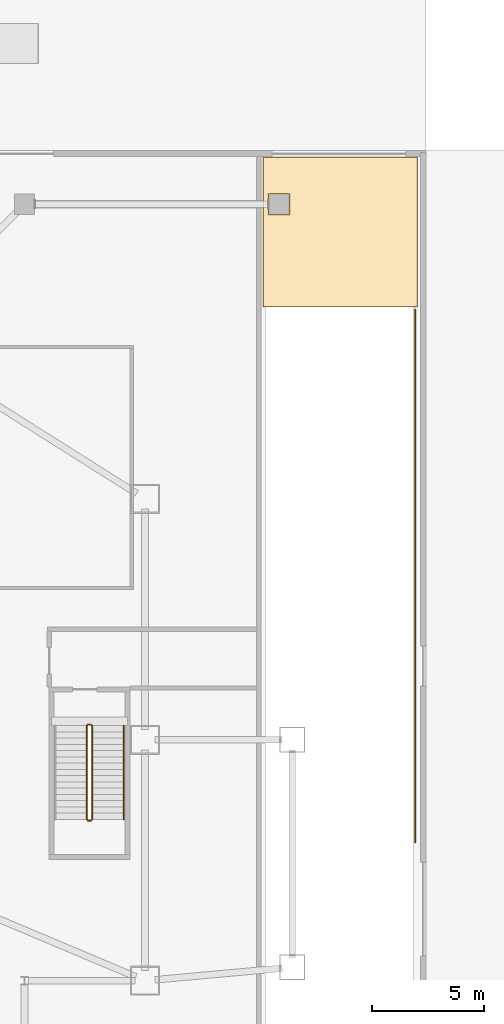
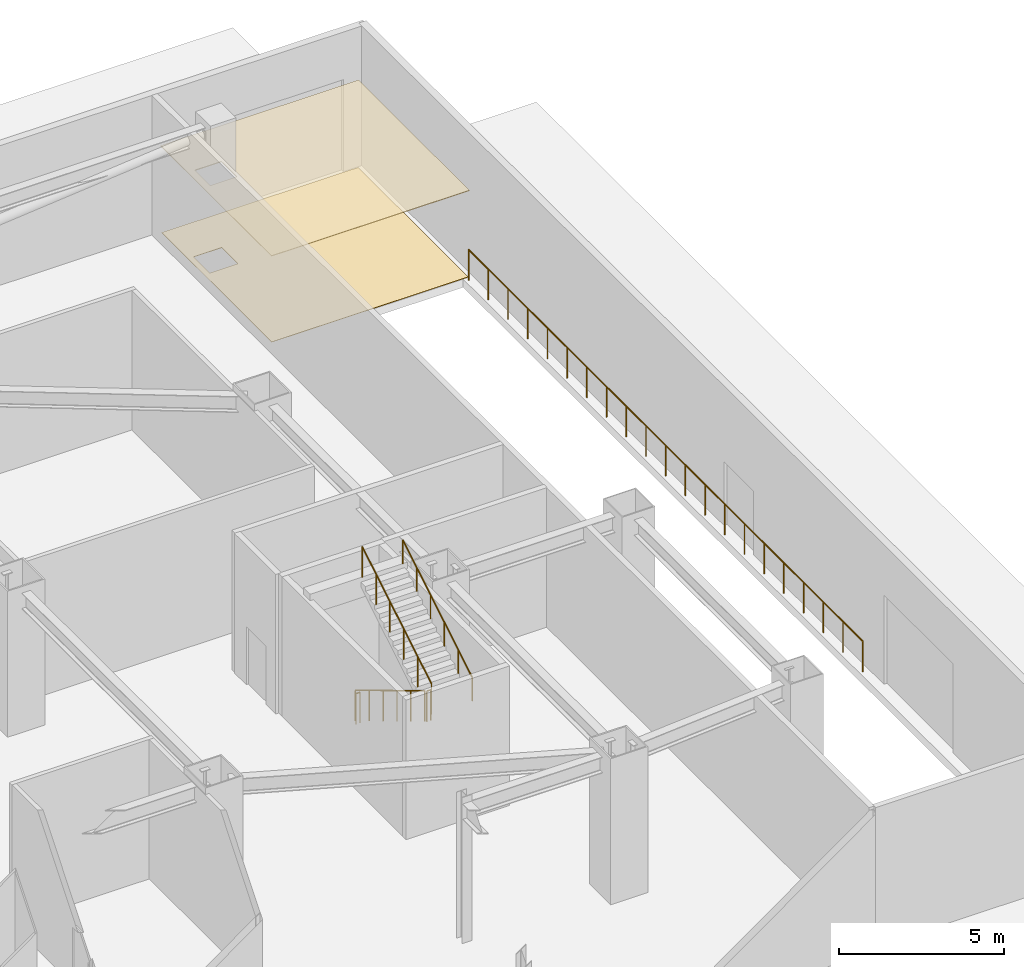
# One storey, part 19 of 20: 6 railings, 2 coverings.
"""IFC4 building model written with IfcOpenShell, lengths in metres."""

from ifc_helpers import new_model, si_unit, direction, frame, origin, origin_2d, place, context, subcontext, project, spatial, polyline, circle, outline, extrude, material, layer, layer_set, type_object, element, save


model = new_model("IFC4")

# Units and contexts
model_context = context("Model", 3, precision=1e-05, world=origin(), true_north=direction((0.0, 1.0)))
body_context = subcontext(model_context, "Body", "Model", "MODEL_VIEW")
ifc_project = project(units=[si_unit("LENGTHUNIT", "METRE"), si_unit("AREAUNIT", "SQUARE_METRE"), si_unit("VOLUMEUNIT", "CUBIC_METRE"), si_unit("PLANEANGLEUNIT", "RADIAN"), si_unit("MASSUNIT", "GRAM", prefix="KILO")], contexts=[model_context])

# Site, building, storey
site_placement = place(None, origin())
site = spatial("IfcSite", under=ifc_project, at=site_placement, CompositionType="ELEMENT")
building_placement = place(site_placement, origin())
building = spatial("IfcBuilding", under=site, at=building_placement, Name="Haolan Belvedere Tower", CompositionType="ELEMENT")
storey_placement = place(building_placement, origin())
storey = spatial("IfcBuildingStorey", under=building, at=storey_placement, Name="L00", CompositionType="ELEMENT", Elevation=0.0)

# Coverings
ifc_material_1 = material(Name="Acoustic mineral-fibre suspended ceiling system", Category="masonry")
ifc_layer_1 = layer(ifc_material_1, 0.02490234375, Name="Acoustic mineral-fibre suspended ceiling system")
ifc_layer_set_1 = layer_set([ifc_layer_1], Name="Acoustic mineral-fibre suspended ceiling system")
covering_type_1 = type_object("IfcCoveringType", Name="COV-CEIL-AC25", PredefinedType="CEILING", material=ifc_layer_set_1)
covering_1_placement = place(storey_placement, frame((0.0, 0.0, 3.199951171875)))
element("IfcCovering", 1, at=covering_1_placement, inside=storey, type_object=covering_type_1, Name="L00 suspended acoustic ceiling L00-RMP.1", PredefinedType="CEILING", context=body_context, shape_type="SweptSolid", body=[
    extrude(outline(polyline([(76.412109375, 46.988037109375), (76.412109375, 53.7119140625), (69.488037109375, 53.7119140625), (69.488037109375, 46.988037109375), (76.412109375, 46.988037109375)]), holes=[polyline([(69.735107421875, 52.06494140625), (70.6650390625, 52.06494140625), (70.6650390625, 51.135009765625), (69.735107421875, 51.135009765625), (69.735107421875, 52.06494140625)])]), origin(), (0.0, 0.0, 1.0), 0.025146484375),
])
ifc_material_2 = material(Name="Honed terrazzo and natural granite stone flooring", Category="masonry")
ifc_layer_2 = layer(ifc_material_2, 0.014892578125, Name="Honed terrazzo and natural granite stone flooring")
ifc_layer_set_2 = layer_set([ifc_layer_2], Name="Honed terrazzo and natural granite stone flooring")
covering_type_2 = type_object("IfcCoveringType", Name="COV-FLR-STN30", PredefinedType="FLOORING", material=ifc_layer_set_2)
covering_2_placement = place(storey_placement, origin())
element("IfcCovering", 2, at=covering_2_placement, inside=storey, type_object=covering_type_2, Name="L00 polished stone floor finish L00-RMP.1", PredefinedType="FLOORING", context=body_context, shape_type="SweptSolid", body=[
    extrude(outline(polyline([(76.386962890625, 53.68701171875), (69.512939453125, 53.68701171875), (69.512939453125, 47.012939453125), (76.386962890625, 47.012939453125), (76.386962890625, 53.68701171875)]), holes=[polyline([(70.68994140625, 52.090087890625), (70.68994140625, 51.110107421875), (69.7099609375, 51.110107421875), (69.7099609375, 52.090087890625), (70.68994140625, 52.090087890625)])]), origin(), (0.0, 0.0, 1.0), 0.014892578125),
])

# Railings
ifc_material_3 = material(Name="Galvanised powder-coated steel guardrail", Category="steel")
railing_type_1 = type_object("IfcRailingType", Name="RL-REF-GRD-1150", PredefinedType="GUARDRAIL", material=ifc_material_3)
railing_1_placement = place(storey_placement, frame((76.320068359375, 23.0, 0.0)))
element("IfcRailing", 3, at=railing_1_placement, inside=storey, type_object=railing_type_1, Name="L00 east vehicle ramp void upper east guardrail", PredefinedType="GUARDRAIL", context=body_context, shape_type="SweptSolid", body=[
    extrude(circle(Radius=0.02392578125, at=origin_2d()), frame((0.0, 0.0, 1.1259765625), z_axis=(0.0, 1.0, 0.0), x_axis=(-1.0, 0.0, 0.0)), (0.0, 0.0, 1.0), 23.8798828125),
    extrude(circle(Radius=0.02099609375, at=origin_2d()), origin(), (0.0, 0.0, 1.0), 1.101806640625),
    extrude(circle(Radius=0.02099609375, at=origin_2d()), frame((0.0, 1.194091796875, 0.0)), (0.0, 0.0, 1.0), 1.101806640625),
    extrude(circle(Radius=0.02099609375, at=origin_2d()), frame((0.0, 2.387939453125, 0.0)), (0.0, 0.0, 1.0), 1.101806640625),
    extrude(circle(Radius=0.02099609375, at=origin_2d()), frame((0.0, 3.58203125, 0.0)), (0.0, 0.0, 1.0), 1.101806640625),
    extrude(circle(Radius=0.02099609375, at=origin_2d()), frame((0.0, 4.77587890625, 0.0)), (0.0, 0.0, 1.0), 1.101806640625),
    extrude(circle(Radius=0.02099609375, at=origin_2d()), frame((0.0, 5.969970703125, 0.0)), (0.0, 0.0, 1.0), 1.101806640625),
    extrude(circle(Radius=0.02099609375, at=origin_2d()), frame((0.0, 7.1640625, 0.0)), (0.0, 0.0, 1.0), 1.101806640625),
    extrude(circle(Radius=0.02099609375, at=origin_2d()), frame((0.0, 8.35791015625, 0.0)), (0.0, 0.0, 1.0), 1.101806640625),
    extrude(circle(Radius=0.02099609375, at=origin_2d()), frame((0.0, 9.552001953125, 0.0)), (0.0, 0.0, 1.0), 1.101806640625),
    extrude(circle(Radius=0.02099609375, at=origin_2d()), frame((0.0, 10.745849609375, 0.0)), (0.0, 0.0, 1.0), 1.101806640625),
    extrude(circle(Radius=0.02099609375, at=origin_2d()), frame((0.0, 11.93994140625, 0.0)), (0.0, 0.0, 1.0), 1.101806640625),
    extrude(circle(Radius=0.02099609375, at=origin_2d()), frame((0.0, 13.134033203125, 0.0)), (0.0, 0.0, 1.0), 1.101806640625),
    extrude(circle(Radius=0.02099609375, at=origin_2d()), frame((0.0, 14.327880859375, 0.0)), (0.0, 0.0, 1.0), 1.101806640625),
    extrude(circle(Radius=0.02099609375, at=origin_2d()), frame((0.0, 15.52197265625, 0.0)), (0.0, 0.0, 1.0), 1.101806640625),
    extrude(circle(Radius=0.02099609375, at=origin_2d()), frame((0.0, 16.7158203125, 0.0)), (0.0, 0.0, 1.0), 1.101806640625),
    extrude(circle(Radius=0.02099609375, at=origin_2d()), frame((0.0, 17.909912109375, 0.0)), (0.0, 0.0, 1.0), 1.101806640625),
    extrude(circle(Radius=0.02099609375, at=origin_2d()), frame((0.0, 19.10400390625, 0.0)), (0.0, 0.0, 1.0), 1.101806640625),
    extrude(circle(Radius=0.02099609375, at=origin_2d()), frame((0.0, 20.2978515625, 0.0)), (0.0, 0.0, 1.0), 1.101806640625),
    extrude(circle(Radius=0.02099609375, at=origin_2d()), frame((0.0, 21.491943359375, 0.0)), (0.0, 0.0, 1.0), 1.101806640625),
    extrude(circle(Radius=0.02099609375, at=origin_2d()), frame((0.0, 22.685791015625, 0.0)), (0.0, 0.0, 1.0), 1.101806640625),
    extrude(circle(Radius=0.02099609375, at=origin_2d()), frame((0.0, 23.8798828125, 0.0)), (0.0, 0.0, 1.0), 1.101806640625),
])
ifc_material_4 = material(Name="Brushed stainless steel 304", Category="steel")
railing_type_2 = type_object("IfcRailingType", Name="RL-STAIR-GRD-1150", PredefinedType="GUARDRAIL", material=ifc_material_4)
railing_2_placement = place(storey_placement, frame((61.590087890625, 28.22998046875, 0.168701171875)))
element("IfcRailing", 4, at=railing_2_placement, inside=storey, type_object=railing_type_2, Name="L00 ST5 stair guard 1", PredefinedType="GUARDRAIL", context=body_context, shape_type="SweptSolid", body=[
    extrude(circle(Radius=0.02392578125, at=origin_2d()), frame((0.0, 0.0, 1.1259765625), z_axis=(0.0, -0.856476492594, 0.516186030065), x_axis=(1.0, 0.0, 0.0)), (0.0, 0.0, 1.0), 4.90380859375),
    extrude(circle(Radius=0.02099609375, at=origin_2d()), origin(), (0.0, 0.0, 1.0), 1.101806640625),
    extrude(circle(Radius=0.02099609375, at=origin_2d()), frame((0.0, -0.840087890625, 0.50634765625)), (0.0, 0.0, 1.0), 1.101806640625),
    extrude(circle(Radius=0.02099609375, at=origin_2d()), frame((0.0, -1.679931640625, 1.012451171875)), (0.0, 0.0, 1.0), 1.101806640625),
    extrude(circle(Radius=0.02099609375, at=origin_2d()), frame((0.0, -2.52001953125, 1.518798828125)), (0.0, 0.0, 1.0), 1.101806640625),
    extrude(circle(Radius=0.02099609375, at=origin_2d()), frame((0.0, -3.35986328125, 2.02490234375)), (0.0, 0.0, 1.0), 1.101806640625),
    extrude(circle(Radius=0.02099609375, at=origin_2d()), frame((0.0, -4.199951171875, 2.53125)), (0.0, 0.0, 1.0), 1.101806640625),
])
railing_3_placement = place(storey_placement, frame((61.639892578125, 23.97998046875, 2.699951171875)))
element("IfcRailing", 5, at=railing_3_placement, inside=storey, type_object=railing_type_2, Name="L00 ST5 stair guard 2", PredefinedType="GUARDRAIL", context=body_context, shape_type="SweptSolid", body=[
    extrude(circle(Radius=0.02392578125, at=origin_2d()), frame((0.0, 0.0, 1.1259765625), z_axis=(1.0, 0.0, 0.0), x_axis=(0.0, 1.0, 0.0)), (0.0, 0.0, 1.0), 0.14013671875),
    extrude(circle(Radius=0.02099609375, at=origin_2d()), origin(), (0.0, 0.0, 1.0), 1.101806640625),
    extrude(circle(Radius=0.02099609375, at=origin_2d()), frame((0.14013671875, 0.0, 0.0)), (0.0, 0.0, 1.0), 1.101806640625),
])
railing_4_placement = place(storey_placement, frame((61.830078125, 24.030029296875, 2.86865234375)))
element("IfcRailing", 6, at=railing_4_placement, inside=storey, type_object=railing_type_2, Name="L00 ST5 stair guard 3", PredefinedType="GUARDRAIL", context=body_context, shape_type="SweptSolid", body=[
    extrude(circle(Radius=0.02392578125, at=origin_2d()), frame((0.0, 0.0, 1.1259765625), z_axis=(0.0, 0.856476492594, 0.516186030065), x_axis=(-1.0, 0.0, 0.0)), (0.0, 0.0, 1.0), 4.90380859375),
    extrude(circle(Radius=0.02099609375, at=origin_2d()), origin(), (0.0, 0.0, 1.0), 1.101806640625),
    extrude(circle(Radius=0.02099609375, at=origin_2d()), frame((0.0, 0.840087890625, 0.50634765625)), (0.0, 0.0, 1.0), 1.101806640625),
    extrude(circle(Radius=0.02099609375, at=origin_2d()), frame((0.0, 1.679931640625, 1.012451171875)), (0.0, 0.0, 1.0), 1.101806640625),
    extrude(circle(Radius=0.02099609375, at=origin_2d()), frame((0.0, 2.52001953125, 1.518798828125)), (0.0, 0.0, 1.0), 1.101806640625),
    extrude(circle(Radius=0.02099609375, at=origin_2d()), frame((0.0, 3.35986328125, 2.02490234375)), (0.0, 0.0, 1.0), 1.101806640625),
    extrude(circle(Radius=0.02099609375, at=origin_2d()), frame((0.0, 4.199951171875, 2.53125)), (0.0, 0.0, 1.0), 1.101806640625),
])
railing_5_placement = place(storey_placement, frame((61.639892578125, 28.280029296875, 0.0)))
element("IfcRailing", 7, at=railing_5_placement, inside=storey, type_object=railing_type_2, Name="L00 ST5 stair guard 4", PredefinedType="GUARDRAIL", context=body_context, shape_type="SweptSolid", body=[
    extrude(circle(Radius=0.02392578125, at=origin_2d()), frame((0.0, 0.0, 1.1259765625), z_axis=(1.0, 0.0, 0.0), x_axis=(0.0, 1.0, 0.0)), (0.0, 0.0, 1.0), 0.14013671875),
    extrude(circle(Radius=0.02099609375, at=origin_2d()), origin(), (0.0, 0.0, 1.0), 1.101806640625),
    extrude(circle(Radius=0.02099609375, at=origin_2d()), frame((0.14013671875, 0.0, 0.0)), (0.0, 0.0, 1.0), 1.101806640625),
])
railing_type_3 = type_object("IfcRailingType", Name="RL-STAIR-HND-900", PredefinedType="HANDRAIL", material=ifc_material_4)
railing_6_placement = place(storey_placement, frame((63.25, 24.030029296875, 2.86865234375)))
element("IfcRailing", 8, at=railing_6_placement, inside=storey, type_object=railing_type_3, Name="L00 ST5 stair handrail 2", PredefinedType="HANDRAIL", context=body_context, shape_type="SweptSolid", body=[
    extrude(circle(Radius=0.02392578125, at=origin_2d()), frame((0.0, 0.0, 0.8759765625), z_axis=(0.0, 0.856476492594, 0.516186030065), x_axis=(-1.0, 0.0, 0.0)), (0.0, 0.0, 1.0), 4.90380859375),
    extrude(circle(Radius=0.02099609375, at=origin_2d()), origin(), (0.0, 0.0, 1.0), 0.851806640625),
    extrude(circle(Radius=0.02099609375, at=origin_2d()), frame((0.0, 0.840087890625, 0.50634765625)), (0.0, 0.0, 1.0), 0.851806640625),
    extrude(circle(Radius=0.02099609375, at=origin_2d()), frame((0.0, 1.679931640625, 1.012451171875)), (0.0, 0.0, 1.0), 0.851806640625),
    extrude(circle(Radius=0.02099609375, at=origin_2d()), frame((0.0, 2.52001953125, 1.518798828125)), (0.0, 0.0, 1.0), 0.851806640625),
    extrude(circle(Radius=0.02099609375, at=origin_2d()), frame((0.0, 3.35986328125, 2.02490234375)), (0.0, 0.0, 1.0), 0.851806640625),
    extrude(circle(Radius=0.02099609375, at=origin_2d()), frame((0.0, 4.199951171875, 2.53125)), (0.0, 0.0, 1.0), 0.851806640625),
])

save(model, "model.ifc")
